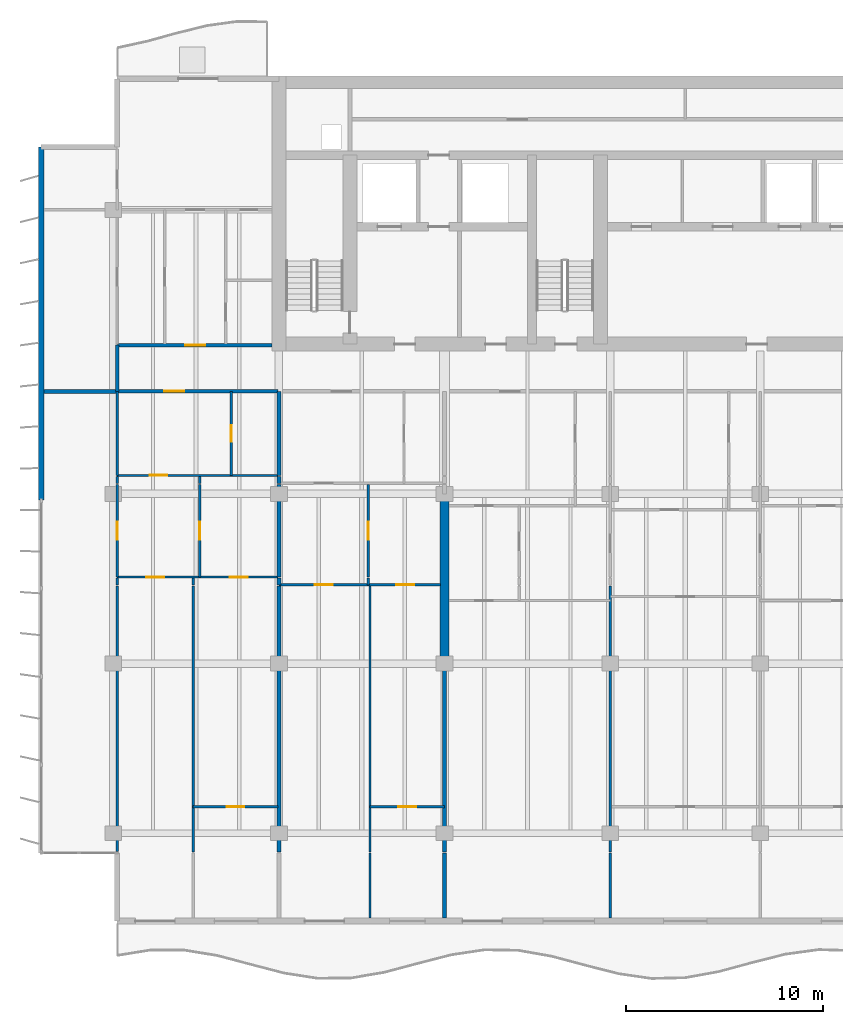
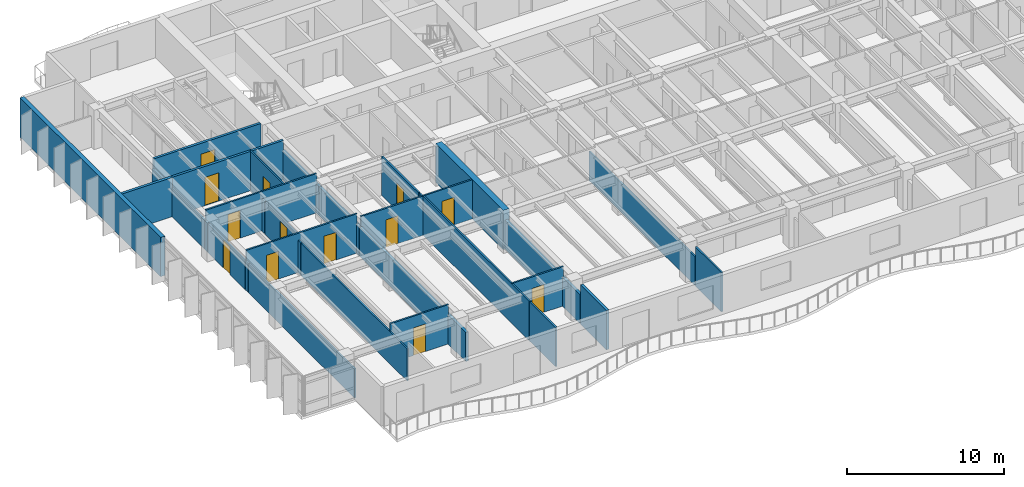
# One storey, part 8 of 18: 34 walls, 13 doors, 13 openings.
"""IFC4 building model written with IfcOpenShell, lengths in metres."""

from ifc_helpers import new_model, si_unit, direction, frame, frame_2d, origin, place, context, subcontext, project, spatial, rectangle, extrude, material, layer, layer_set, type_object, element, fill, save


model = new_model("IFC4")

# Units and contexts
model_context = context("Model", 3, precision=1e-05, world=origin(), true_north=direction((0.0, 1.0)))
body_context = subcontext(model_context, "Body", "Model", "MODEL_VIEW")
ifc_project = project(units=[si_unit("LENGTHUNIT", "METRE"), si_unit("AREAUNIT", "SQUARE_METRE"), si_unit("VOLUMEUNIT", "CUBIC_METRE"), si_unit("PLANEANGLEUNIT", "RADIAN"), si_unit("MASSUNIT", "GRAM", prefix="KILO")], contexts=[model_context])

# Site, building, storey
site_placement = place(None, origin())
site = spatial("IfcSite", under=ifc_project, at=site_placement, CompositionType="ELEMENT")
building_placement = place(site_placement, origin())
building = spatial("IfcBuilding", under=site, at=building_placement, Name="Caelmar Bay Residences", CompositionType="ELEMENT")
storey_placement = place(building_placement, frame((0.0, 0.0, 177.0)))
storey = spatial("IfcBuildingStorey", under=building, at=storey_placement, Name="L49", CompositionType="ELEMENT", Elevation=177.0)

# Walls
ifc_material_1 = material(Name="Concrete f'c 55 MPa (8,000 psi)", Category="concrete")
ifc_layer_1 = layer(ifc_material_1, 0.449951171875)
ifc_layer_set_1 = layer_set([ifc_layer_1], Name="Concrete f'c 55 MPa (8,000 psi)")
wall_type_1 = type_object("IfcWallType", Name="SW-XSLB-450", PredefinedType="SHEAR", material=ifc_layer_set_1)
wall_1_placement = place(storey_placement, frame((26.699951171875, 20.800048828125, 0.0), z_axis=(0.0, 0.0, 1.0), x_axis=(0.0, 1.0, 0.0)))
element("IfcWall", 1, at=wall_1_placement, inside=storey, type_object=wall_type_1, Name="L49 Transverse Cross-Slab Shear Wall W5", PredefinedType="SHEAR", context=body_context, shape_type="SweptSolid", body=[
    extrude(rectangle(XDim=8.599853515625, YDim=0.449951171875, at=frame_2d((4.2998046875, 0.0))), origin(), (0.0, 0.0, 1.0), 3.050048828125),
])
ifc_material_2 = material(Name="Double-stud acoustic fire-rated gypsum partition 180 mm")
ifc_layer_2 = layer(ifc_material_2, 0.179931640625)
ifc_layer_set_2 = layer_set([ifc_layer_2], Name="Double-stud acoustic fire-rated gypsum partition 180 mm")
wall_type_2 = type_object("IfcWallType", Name="W-COR-200", PredefinedType="PARTITIONING", material=ifc_layer_set_2)
wall_2_placement = place(storey_placement, frame((10.10009765625, 34.60498046875, 0.0), z_axis=(0.0, 0.0, 1.0), x_axis=(0.0, 1.0, 0.0)))
element("IfcWall", 2, at=wall_2_placement, inside=storey, type_object=wall_type_2, Name="L49 Partition Wall V006", PredefinedType="PARTITIONING", context=body_context, shape_type="SweptSolid", body=[
    extrude(rectangle(XDim=2.344970703125, YDim=0.179931640625, at=frame_2d((1.17236328125, 0.0))), origin(), (0.0, 0.0, 1.0), 2.262939453125),
])

# Wall, opening, door
wall_3_placement = place(storey_placement, frame((10.10498046875, 34.60009765625, 0.0), z_axis=(0.0, 0.0, 1.0), x_axis=(1.0, 0.0, 0.0)))
wall_3 = element("IfcWall", 3, at=wall_3_placement, inside=storey, type_object=wall_type_2, Name="L49 Partition Wall H127", PredefinedType="PARTITIONING", context=body_context, shape_type="SweptSolid", body=[
    extrude(rectangle(XDim=8.14501953125, YDim=0.179931640625, at=frame_2d((4.072509765625, 0.0))), origin(), (0.0, 0.0, 1.0), 3.050048828125),
])
opening_1_placement = place(wall_3_placement, frame((2.388427734375, 0.0, 0.0)))
opening_1 = element("IfcOpeningElement", 4, at=opening_1_placement, cuts=wall_3, Name="Opening D-L49-120", PredefinedType="OPENING", context=body_context, shape_type="SweptSolid", body=[
    extrude(rectangle(XDim=1.0, YDim=2.199951171875, at=frame_2d((0.5, 1.10009765625))), frame((0.0, 0.099853515625, 0.0), z_axis=(0.0, -1.0, 0.0), x_axis=(1.0, 0.0, 0.0)), (0.0, 0.0, 1.0), 0.199951171875),
])
ifc_material_3 = material(Name="Fire-rated steel and walnut architectural door assembly", Category="steel")
ifc_layer_3 = layer(ifc_material_3, 0.050048828125)
ifc_layer_set_3 = layer_set([ifc_layer_3], Name="Fire-rated steel and walnut architectural door assembly")
door_type_1 = type_object("IfcDoorType", Name="D-UNIT-1000", OperationType="NOTDEFINED", PredefinedType="DOOR", material=ifc_layer_set_3)
door_1_placement = place(opening_1_placement, origin())
door_1 = element("IfcDoor", 5, at=door_1_placement, inside=storey, type_object=door_type_1, Name="L49 Residence 01 Apartment Hall Door", OperationType="SINGLE_SWING_LEFT", OverallHeight=2.199951171875, OverallWidth=1.0, PredefinedType="DOOR", context=body_context, shape_type="SweptSolid", body=[
    extrude(rectangle(XDim=1.0, YDim=2.199951171875, at=frame_2d((0.5, 1.10009765625))), frame((0.0, 0.02490234375, 0.0), z_axis=(0.0, -1.0, 0.0), x_axis=(1.0, 0.0, 0.0)), (0.0, 0.0, 1.0), 0.050048828125),
])
fill(opening_1, door_1)

wall_4_placement = place(storey_placement, frame((10.10009765625, 36.949951171875, 0.0), z_axis=(0.0, 0.0, 1.0), x_axis=(1.0, 0.0, 0.0)))
wall_4 = element("IfcWall", 6, at=wall_4_placement, inside=storey, type_object=wall_type_2, Name="L49 Partition Wall H132", PredefinedType="PARTITIONING", context=body_context, shape_type="SweptSolid", body=[
    extrude(rectangle(XDim=7.844970703125, YDim=0.179931640625, at=frame_2d((3.92236328125, 0.0))), origin(), (0.0, 0.0, 1.0), 3.050048828125),
])
opening_2_placement = place(wall_4_placement, frame((3.4599609375, 0.0, 0.0)))
opening_2 = element("IfcOpeningElement", 7, at=opening_2_placement, cuts=wall_4, Name="Opening D-L49-166", PredefinedType="OPENING", context=body_context, shape_type="SweptSolid", body=[
    extrude(rectangle(XDim=1.0, YDim=2.199951171875, at=frame_2d((0.5, 1.10009765625))), frame((0.0, 0.099853515625, 0.0), z_axis=(0.0, -1.0, 0.0), x_axis=(1.0, 0.0, 0.0)), (0.0, 0.0, 1.0), 0.199951171875),
])
door_2_placement = place(opening_2_placement, origin())
door_2 = element("IfcDoor", 8, at=door_2_placement, inside=storey, type_object=door_type_1, Name="L49 Residence WA Kitchen Door", OperationType="SINGLE_SWING_LEFT", OverallHeight=2.199951171875, OverallWidth=1.0, PredefinedType="DOOR", context=body_context, shape_type="SweptSolid", body=[
    extrude(rectangle(XDim=1.0, YDim=2.199951171875, at=frame_2d((0.5, 1.10009765625))), frame((0.0, 0.02490234375, 0.0), z_axis=(0.0, -1.0, 0.0), x_axis=(1.0, 0.0, 0.0)), (0.0, 0.0, 1.0), 0.050048828125),
])
fill(opening_2, door_2)

# Walls
ifc_material_4 = material(Name="Precast concrete f'c 40 MPa (6,000 psi)", Category="concrete")
ifc_layer_4 = layer(ifc_material_4, 0.300048828125)
ifc_layer_set_4 = layer_set([ifc_layer_4], Name="Precast concrete f'c 40 MPa (6,000 psi)")
wall_type_3 = type_object("IfcWallType", Name="W-EXT-300", PredefinedType="STANDARD", material=ifc_layer_set_4)
wall_5_placement = place(storey_placement, frame((6.25, 29.10009765625, 0.0), z_axis=(0.0, 0.0, 1.0), x_axis=(0.0, 1.0, 0.0)))
element("IfcWall", 9, at=wall_5_placement, inside=storey, type_object=wall_type_3, Name="L49 West Rear Exterior Wall", PredefinedType="STANDARD", context=body_context, shape_type="SweptSolid", body=[
    extrude(rectangle(XDim=17.89990234375, YDim=0.300048828125, at=frame_2d((8.949951171875, 0.0))), origin(), (0.0, 0.0, 1.0), 3.050048828125),
])
ifc_material_5 = material(Name="Acoustic metal-stud gypsum partition 120 mm")
ifc_layer_5 = layer(ifc_material_5, 0.1201171875)
ifc_layer_set_5 = layer_set([ifc_layer_5], Name="Acoustic metal-stud gypsum partition 120 mm")
wall_type_4 = type_object("IfcWallType", Name="W-PRT-120", PredefinedType="PARTITIONING", material=ifc_layer_set_5)
wall_6_placement = place(storey_placement, frame((10.10009765625, 11.284912109375, 0.0), z_axis=(0.0, 0.0, 1.0), x_axis=(0.0, 1.0, 0.0)))
element("IfcWall", 10, at=wall_6_placement, inside=storey, type_object=wall_type_4, Name="L49 Partition Wall V001", PredefinedType="PARTITIONING", context=body_context, shape_type="SweptSolid", body=[
    extrude(rectangle(XDim=13.445068359375, YDim=0.1201171875, at=frame_2d((6.72265625, 0.0))), origin(), (0.0, 0.0, 1.0), 2.262939453125),
])
wall_7_placement = place(storey_placement, frame((10.10009765625, 24.7900390625, 0.0), z_axis=(0.0, 0.0, 1.0), x_axis=(0.0, 1.0, 0.0)))
element("IfcWall", 11, at=wall_7_placement, inside=storey, type_object=wall_type_4, Name="L49 Partition Wall V002", PredefinedType="PARTITIONING", context=body_context, shape_type="SweptSolid", body=[
    extrude(rectangle(XDim=0.33984375, YDim=0.1201171875, at=frame_2d((0.169921875, 0.0))), origin(), (0.0, 0.0, 1.0), 2.262939453125),
])

# Wall, opening, door
wall_8_placement = place(storey_placement, frame((10.10009765625, 25.18994140625, 0.0), z_axis=(0.0, 0.0, 1.0), x_axis=(0.0, 1.0, 0.0)))
wall_8 = element("IfcWall", 12, at=wall_8_placement, inside=storey, type_object=wall_type_4, Name="L49 Partition Wall V003", PredefinedType="PARTITIONING", context=body_context, shape_type="SweptSolid", body=[
    extrude(rectangle(XDim=4.68994140625, YDim=0.1201171875, at=frame_2d((2.344970703125, 0.0))), origin(), (0.0, 0.0, 1.0), 2.262939453125),
])
opening_3_placement = place(wall_8_placement, frame((1.89501953125, 0.0, 0.0)))
opening_3 = element("IfcOpeningElement", 13, at=opening_3_placement, cuts=wall_8, Name="Opening D-L49-163", PredefinedType="OPENING", context=body_context, shape_type="SweptSolid", body=[
    extrude(rectangle(XDim=0.89990234375, YDim=2.14990234375, at=frame_2d((0.449951171875, 1.074951171875))), frame((0.0, 0.070068359375, 0.0), z_axis=(0.0, -1.0, 0.0), x_axis=(1.0, 0.0, 0.0)), (0.0, 0.0, 1.0), 0.14013671875),
])
ifc_material_6 = material(Name="Solid walnut timber interior door leaf and frame", Category="wood")
ifc_layer_6 = layer(ifc_material_6, 0.050048828125)
ifc_layer_set_6 = layer_set([ifc_layer_6], Name="Solid walnut timber interior door leaf and frame")
door_type_2 = type_object("IfcDoorType", Name="D-ROOM-900", OperationType="NOTDEFINED", PredefinedType="DOOR", material=ifc_layer_set_6)
door_3_placement = place(opening_3_placement, origin())
door_3 = element("IfcDoor", 14, at=door_3_placement, inside=storey, type_object=door_type_2, Name="L49 Residence 01 Penthouse West Salon Door", OperationType="SINGLE_SWING_RIGHT", OverallHeight=2.14990234375, OverallWidth=0.89990234375, PredefinedType="DOOR", context=body_context, shape_type="SweptSolid", body=[
    extrude(rectangle(XDim=0.89990234375, YDim=2.14990234375, at=frame_2d((0.449951171875, 1.074951171875))), frame((0.0, 0.02490234375, 0.0), z_axis=(0.0, -1.0, 0.0), x_axis=(1.0, 0.0, 0.0)), (0.0, 0.0, 1.0), 0.050048828125),
])
fill(opening_3, door_3)

# Walls
wall_9_placement = place(storey_placement, frame((10.10009765625, 29.93994140625, 0.0), z_axis=(0.0, 0.0, 1.0), x_axis=(0.0, 1.0, 0.0)))
element("IfcWall", 15, at=wall_9_placement, inside=storey, type_object=wall_type_4, Name="L49 Partition Wall V004", PredefinedType="PARTITIONING", context=body_context, shape_type="SweptSolid", body=[
    extrude(rectangle(XDim=0.340087890625, YDim=0.1201171875, at=frame_2d((0.169921875, 0.0))), origin(), (0.0, 0.0, 1.0), 2.262939453125),
])
wall_10_placement = place(storey_placement, frame((10.10009765625, 30.340087890625, 0.0), z_axis=(0.0, 0.0, 1.0), x_axis=(0.0, 1.0, 0.0)))
element("IfcWall", 16, at=wall_10_placement, inside=storey, type_object=wall_type_4, Name="L49 Partition Wall V005", PredefinedType="PARTITIONING", context=body_context, shape_type="SweptSolid", body=[
    extrude(rectangle(XDim=4.260009765625, YDim=0.1201171875, at=frame_2d((2.1298828125, 0.0))), origin(), (0.0, 0.0, 1.0), 2.262939453125),
])
wall_11_placement = place(storey_placement, frame((13.9541015625, 11.239990234375, 0.0), z_axis=(0.0, 0.0, 1.0), x_axis=(0.0, 1.0, 0.0)))
element("IfcWall", 17, at=wall_11_placement, inside=storey, type_object=wall_type_4, Name="L49 Partition Wall V011", PredefinedType="PARTITIONING", context=body_context, shape_type="SweptSolid", body=[
    extrude(rectangle(XDim=13.489990234375, YDim=0.1201171875, at=frame_2d((6.7451171875, 0.0))), origin(), (0.0, 0.0, 1.0), 2.4990234375),
])
wall_12_placement = place(storey_placement, frame((13.9541015625, 24.7900390625, 0.0), z_axis=(0.0, 0.0, 1.0), x_axis=(0.0, 1.0, 0.0)))
element("IfcWall", 18, at=wall_12_placement, inside=storey, type_object=wall_type_4, Name="L49 Partition Wall V012", PredefinedType="PARTITIONING", context=body_context, shape_type="SweptSolid", body=[
    extrude(rectangle(XDim=0.33984375, YDim=0.1201171875, at=frame_2d((0.169921875, 0.0))), origin(), (0.0, 0.0, 1.0), 2.4990234375),
])

# Wall, opening, door
wall_13_placement = place(storey_placement, frame((14.278076171875, 25.18994140625, 0.0), z_axis=(0.0, 0.0, 1.0), x_axis=(0.0, 1.0, 0.0)))
wall_13 = element("IfcWall", 19, at=wall_13_placement, inside=storey, type_object=wall_type_4, Name="L49 Partition Wall V013", PredefinedType="PARTITIONING", context=body_context, shape_type="SweptSolid", body=[
    extrude(rectangle(XDim=4.68994140625, YDim=0.1201171875, at=frame_2d((2.344970703125, 0.0))), origin(), (0.0, 0.0, 1.0), 2.4990234375),
])
opening_4_placement = place(wall_13_placement, frame((1.89501953125, 0.0, 0.0)))
opening_4 = element("IfcOpeningElement", 20, at=opening_4_placement, cuts=wall_13, Name="Opening D-L49-123", PredefinedType="OPENING", context=body_context, shape_type="SweptSolid", body=[
    extrude(rectangle(XDim=0.89990234375, YDim=2.14990234375, at=frame_2d((0.449951171875, 1.074951171875))), frame((0.0, 0.070068359375, 0.0), z_axis=(0.0, -1.0, 0.0), x_axis=(1.0, 0.0, 0.0)), (0.0, 0.0, 1.0), 0.14013671875),
])
door_4_placement = place(opening_4_placement, origin())
door_4 = element("IfcDoor", 21, at=door_4_placement, inside=storey, type_object=door_type_2, Name="L49 Residence 01 Formal Dining Room Door", OperationType="SINGLE_SWING_RIGHT", OverallHeight=2.14990234375, OverallWidth=0.89990234375, PredefinedType="DOOR", context=body_context, shape_type="SweptSolid", body=[
    extrude(rectangle(XDim=0.89990234375, YDim=2.14990234375, at=frame_2d((0.449951171875, 1.074951171875))), frame((0.0, 0.02490234375, 0.0), z_axis=(0.0, -1.0, 0.0), x_axis=(1.0, 0.0, 0.0)), (0.0, 0.0, 1.0), 0.050048828125),
])
fill(opening_4, door_4)

# Wall
wall_14_placement = place(storey_placement, frame((14.278076171875, 29.93994140625, 0.0), z_axis=(0.0, 0.0, 1.0), x_axis=(0.0, 1.0, 0.0)))
element("IfcWall", 22, at=wall_14_placement, inside=storey, type_object=wall_type_4, Name="L49 Partition Wall V014", PredefinedType="PARTITIONING", context=body_context, shape_type="SweptSolid", body=[
    extrude(rectangle(XDim=0.340087890625, YDim=0.1201171875, at=frame_2d((0.169921875, 0.0))), origin(), (0.0, 0.0, 1.0), 2.4990234375),
])

# Wall, opening, door
wall_15_placement = place(storey_placement, frame((15.882080078125, 30.340087890625, 0.0), z_axis=(0.0, 0.0, 1.0), x_axis=(0.0, 1.0, 0.0)))
wall_15 = element("IfcWall", 23, at=wall_15_placement, inside=storey, type_object=wall_type_4, Name="L49 Partition Wall V016", PredefinedType="PARTITIONING", context=body_context, shape_type="SweptSolid", body=[
    extrude(rectangle(XDim=4.260009765625, YDim=0.1201171875, at=frame_2d((2.1298828125, 0.0))), origin(), (0.0, 0.0, 1.0), 3.050048828125),
])
opening_5_placement = place(wall_15_placement, frame((1.705078125, 0.0, 0.0)))
opening_5 = element("IfcOpeningElement", 24, at=opening_5_placement, cuts=wall_15, Name="Opening D-L49-121", PredefinedType="OPENING", context=body_context, shape_type="SweptSolid", body=[
    extrude(rectangle(XDim=0.85009765625, YDim=2.10009765625, at=frame_2d((0.425048828125, 1.050048828125))), frame((0.0, 0.070068359375, 0.0), z_axis=(0.0, -1.0, 0.0), x_axis=(1.0, 0.0, 0.0)), (0.0, 0.0, 1.0), 0.14013671875),
])
ifc_layer_7 = layer(ifc_material_6, 0.050048828125)
ifc_layer_set_7 = layer_set([ifc_layer_7], Name="Solid walnut timber interior door leaf and frame")
door_type_3 = type_object("IfcDoorType", Name="D-BATH-850", OperationType="NOTDEFINED", PredefinedType="DOOR", material=ifc_layer_set_7)
door_5_placement = place(opening_5_placement, origin())
door_5 = element("IfcDoor", 25, at=door_5_placement, inside=storey, type_object=door_type_3, Name="L49 Residence 01 Bathroom Door", OperationType="SINGLE_SWING_RIGHT", OverallHeight=2.10009765625, OverallWidth=0.85009765625, PredefinedType="DOOR", context=body_context, shape_type="SweptSolid", body=[
    extrude(rectangle(XDim=0.85009765625, YDim=2.10009765625, at=frame_2d((0.425048828125, 1.050048828125))), frame((0.0, 0.02490234375, 0.0), z_axis=(0.0, -1.0, 0.0), x_axis=(1.0, 0.0, 0.0)), (0.0, 0.0, 1.0), 0.050048828125),
])
fill(opening_5, door_5)

# Wall
wall_16_placement = place(storey_placement, frame((22.8359375, 24.7900390625, 0.0), z_axis=(0.0, 0.0, 1.0), x_axis=(0.0, 1.0, 0.0)))
element("IfcWall", 26, at=wall_16_placement, inside=storey, type_object=wall_type_4, Name="L49 Partition Wall V024", PredefinedType="PARTITIONING", context=body_context, shape_type="SweptSolid", body=[
    extrude(rectangle(XDim=0.33984375, YDim=0.1201171875, at=frame_2d((0.169921875, 0.0))), origin(), (0.0, 0.0, 1.0), 3.050048828125),
])

# Wall, opening, door
wall_17_placement = place(storey_placement, frame((22.8359375, 25.18994140625, 0.0), z_axis=(0.0, 0.0, 1.0), x_axis=(0.0, 1.0, 0.0)))
wall_17 = element("IfcWall", 27, at=wall_17_placement, inside=storey, type_object=wall_type_4, Name="L49 Partition Wall V025", PredefinedType="PARTITIONING", context=body_context, shape_type="SweptSolid", body=[
    extrude(rectangle(XDim=4.68994140625, YDim=0.1201171875, at=frame_2d((2.344970703125, 0.0))), origin(), (0.0, 0.0, 1.0), 3.050048828125),
])
opening_6_placement = place(wall_17_placement, frame((1.89501953125, 0.0, 0.0)))
opening_6 = element("IfcOpeningElement", 28, at=opening_6_placement, cuts=wall_17, Name="Opening D-L49-130", PredefinedType="OPENING", context=body_context, shape_type="SweptSolid", body=[
    extrude(rectangle(XDim=0.89990234375, YDim=2.14990234375, at=frame_2d((0.449951171875, 1.074951171875))), frame((0.0, 0.070068359375, 0.0), z_axis=(0.0, -1.0, 0.0), x_axis=(1.0, 0.0, 0.0)), (0.0, 0.0, 1.0), 0.14013671875),
])
door_6_placement = place(opening_6_placement, origin())
door_6 = element("IfcDoor", 29, at=door_6_placement, inside=storey, type_object=door_type_2, Name="L49 Residence 02 Formal Dining Room Door", OperationType="SINGLE_SWING_LEFT", OverallHeight=2.14990234375, OverallWidth=0.89990234375, PredefinedType="DOOR", context=body_context, shape_type="SweptSolid", body=[
    extrude(rectangle(XDim=0.89990234375, YDim=2.14990234375, at=frame_2d((0.449951171875, 1.074951171875))), frame((0.0, 0.02490234375, 0.0), z_axis=(0.0, -1.0, 0.0), x_axis=(1.0, 0.0, 0.0)), (0.0, 0.0, 1.0), 0.050048828125),
])
fill(opening_6, door_6)

# Walls
wall_18_placement = place(storey_placement, frame((22.919921875, 7.89501953125, 0.0), z_axis=(0.0, 0.0, 1.0), x_axis=(0.0, 1.0, 0.0)))
element("IfcWall", 30, at=wall_18_placement, inside=storey, type_object=wall_type_4, Name="L49 Partition Wall V026", PredefinedType="PARTITIONING", context=body_context, shape_type="SweptSolid", body=[
    extrude(rectangle(XDim=3.304931640625, YDim=0.1201171875, at=frame_2d((1.65234375, 0.0))), origin(), (0.0, 0.0, 1.0), 3.050048828125),
])
wall_19_placement = place(storey_placement, frame((22.919921875, 11.239990234375, 0.0), z_axis=(0.0, 0.0, 1.0), x_axis=(0.0, 1.0, 0.0)))
element("IfcWall", 31, at=wall_19_placement, inside=storey, type_object=wall_type_4, Name="L49 Partition Wall V027", PredefinedType="PARTITIONING", context=body_context, shape_type="SweptSolid", body=[
    extrude(rectangle(XDim=13.489990234375, YDim=0.1201171875, at=frame_2d((6.7451171875, 0.0))), origin(), (0.0, 0.0, 1.0), 3.050048828125),
])
wall_20_placement = place(storey_placement, frame((35.10009765625, 7.89501953125, 0.0), z_axis=(0.0, 0.0, 1.0), x_axis=(0.0, 1.0, 0.0)))
element("IfcWall", 32, at=wall_20_placement, inside=storey, type_object=wall_type_4, Name="L49 Partition Wall V044", PredefinedType="PARTITIONING", context=body_context, shape_type="SweptSolid", body=[
    extrude(rectangle(XDim=3.304931640625, YDim=0.1201171875, at=frame_2d((1.65234375, 0.0))), origin(), (0.0, 0.0, 1.0), 3.050048828125),
])
wall_21_placement = place(storey_placement, frame((35.10009765625, 11.239990234375, 0.0), z_axis=(0.0, 0.0, 1.0), x_axis=(0.0, 1.0, 0.0)))
element("IfcWall", 33, at=wall_21_placement, inside=storey, type_object=wall_type_4, Name="L49 Partition Wall V045", PredefinedType="PARTITIONING", context=body_context, shape_type="SweptSolid", body=[
    extrude(rectangle(XDim=13.489990234375, YDim=0.1201171875, at=frame_2d((6.7451171875, 0.0))), origin(), (0.0, 0.0, 1.0), 2.262939453125),
])

# Wall, opening, door
wall_22_placement = place(storey_placement, frame((13.9541015625, 13.550048828125, 0.0), z_axis=(0.0, 0.0, 1.0), x_axis=(1.0, 0.0, 0.0)))
wall_22 = element("IfcWall", 34, at=wall_22_placement, inside=storey, type_object=wall_type_4, Name="L49 Partition Wall H104", PredefinedType="PARTITIONING", context=body_context, shape_type="SweptSolid", body=[
    extrude(rectangle(XDim=4.2958984375, YDim=0.1201171875, at=frame_2d((2.14794921875, 0.0))), origin(), (0.0, 0.0, 1.0), 3.050048828125),
])
opening_7_placement = place(wall_22_placement, frame((1.697998046875, 0.0, 0.0)))
opening_7 = element("IfcOpeningElement", 35, at=opening_7_placement, cuts=wall_22, Name="Opening D-L49-126", PredefinedType="OPENING", context=body_context, shape_type="SweptSolid", body=[
    extrude(rectangle(XDim=0.89990234375, YDim=2.14990234375, at=frame_2d((0.449951171875, 1.074951171875))), frame((0.0, 0.070068359375, 0.0), z_axis=(0.0, -1.0, 0.0), x_axis=(1.0, 0.0, 0.0)), (0.0, 0.0, 1.0), 0.14013671875),
])
door_7_placement = place(opening_7_placement, origin())
door_7 = element("IfcDoor", 36, at=door_7_placement, inside=storey, type_object=door_type_2, Name="L49 Residence 01 Primary Bedroom Door", OperationType="SINGLE_SWING_LEFT", OverallHeight=2.14990234375, OverallWidth=0.89990234375, PredefinedType="DOOR", context=body_context, shape_type="SweptSolid", body=[
    extrude(rectangle(XDim=0.89990234375, YDim=2.14990234375, at=frame_2d((0.449951171875, 1.074951171875))), frame((0.0, 0.02490234375, 0.0), z_axis=(0.0, -1.0, 0.0), x_axis=(1.0, 0.0, 0.0)), (0.0, 0.0, 1.0), 0.050048828125),
])
fill(opening_7, door_7)

wall_23_placement = place(storey_placement, frame((22.919921875, 13.550048828125, 0.0), z_axis=(0.0, 0.0, 1.0), x_axis=(1.0, 0.0, 0.0)))
wall_23 = element("IfcWall", 37, at=wall_23_placement, inside=storey, type_object=wall_type_4, Name="L49 Partition Wall H105", PredefinedType="PARTITIONING", context=body_context, shape_type="SweptSolid", body=[
    extrude(rectangle(XDim=3.780029296875, YDim=0.1201171875, at=frame_2d((1.89013671875, 0.0))), origin(), (0.0, 0.0, 1.0), 3.050048828125),
])
opening_8_placement = place(wall_23_placement, frame((1.43994140625, 0.0, 0.0)))
opening_8 = element("IfcOpeningElement", 38, at=opening_8_placement, cuts=wall_23, Name="Opening D-L49-133", PredefinedType="OPENING", context=body_context, shape_type="SweptSolid", body=[
    extrude(rectangle(XDim=0.89990234375, YDim=2.14990234375, at=frame_2d((0.449951171875, 1.074951171875))), frame((0.0, 0.070068359375, 0.0), z_axis=(0.0, -1.0, 0.0), x_axis=(1.0, 0.0, 0.0)), (0.0, 0.0, 1.0), 0.14013671875),
])
door_8_placement = place(opening_8_placement, origin())
door_8 = element("IfcDoor", 39, at=door_8_placement, inside=storey, type_object=door_type_2, Name="L49 Residence 02 Primary Bedroom Door", OperationType="SINGLE_SWING_RIGHT", OverallHeight=2.14990234375, OverallWidth=0.89990234375, PredefinedType="DOOR", context=body_context, shape_type="SweptSolid", body=[
    extrude(rectangle(XDim=0.89990234375, YDim=2.14990234375, at=frame_2d((0.449951171875, 1.074951171875))), frame((0.0, 0.02490234375, 0.0), z_axis=(0.0, -1.0, 0.0), x_axis=(1.0, 0.0, 0.0)), (0.0, 0.0, 1.0), 0.050048828125),
])
fill(opening_8, door_8)

# Wall, openings, doors
wall_24_placement = place(storey_placement, frame((18.300048828125, 24.7900390625, 0.0), z_axis=(0.0, 0.0, 1.0), x_axis=(1.0, 0.0, 0.0)))
wall_24 = element("IfcWall", 40, at=wall_24_placement, inside=storey, type_object=wall_type_4, Name="L49 Partition Wall H114", PredefinedType="PARTITIONING", context=body_context, shape_type="SweptSolid", body=[
    extrude(rectangle(XDim=8.179931640625, YDim=0.1201171875, at=frame_2d((4.08984375, 0.0))), origin(), (0.0, 0.0, 1.0), 3.050048828125),
])
opening_9_placement = place(wall_24_placement, frame((1.818115234375, 0.0, 0.0)))
opening_9 = element("IfcOpeningElement", 41, at=opening_9_placement, cuts=wall_24, Name="Opening D-L49-131", PredefinedType="OPENING", context=body_context, shape_type="SweptSolid", body=[
    extrude(rectangle(XDim=0.89990234375, YDim=2.14990234375, at=frame_2d((0.449951171875, 1.074951171875))), frame((0.0, 0.070068359375, 0.0), z_axis=(0.0, -1.0, 0.0), x_axis=(1.0, 0.0, 0.0)), (0.0, 0.0, 1.0), 0.14013671875),
])
opening_10_placement = place(wall_24_placement, frame((5.949951171875, 0.0, 0.0)))
opening_10 = element("IfcOpeningElement", 42, at=opening_10_placement, cuts=wall_24, Name="Opening D-L49-132", PredefinedType="OPENING", context=body_context, shape_type="SweptSolid", body=[
    extrude(rectangle(XDim=0.89990234375, YDim=2.14990234375, at=frame_2d((0.449951171875, 1.074951171875))), frame((0.0, 0.070068359375, 0.0), z_axis=(0.0, -1.0, 0.0), x_axis=(1.0, 0.0, 0.0)), (0.0, 0.0, 1.0), 0.14013671875),
])
door_9_placement = place(opening_9_placement, origin())
door_9 = element("IfcDoor", 43, at=door_9_placement, inside=storey, type_object=door_type_2, Name="L49 Residence 02 Penthouse Living Salon Door", OperationType="SINGLE_SWING_RIGHT", OverallHeight=2.14990234375, OverallWidth=0.89990234375, PredefinedType="DOOR", context=body_context, shape_type="SweptSolid", body=[
    extrude(rectangle(XDim=0.89990234375, YDim=2.14990234375, at=frame_2d((0.449951171875, 1.074951171875))), frame((0.0, 0.02490234375, 0.0), z_axis=(0.0, -1.0, 0.0), x_axis=(1.0, 0.0, 0.0)), (0.0, 0.0, 1.0), 0.050048828125),
])
fill(opening_9, door_9)
door_10_placement = place(opening_10_placement, origin())
door_10 = element("IfcDoor", 44, at=door_10_placement, inside=storey, type_object=door_type_2, Name="L49 Residence 02 Penthouse Sitting Room Door", OperationType="SINGLE_SWING_LEFT", OverallHeight=2.14990234375, OverallWidth=0.89990234375, PredefinedType="DOOR", context=body_context, shape_type="SweptSolid", body=[
    extrude(rectangle(XDim=0.89990234375, YDim=2.14990234375, at=frame_2d((0.449951171875, 1.074951171875))), frame((0.0, 0.02490234375, 0.0), z_axis=(0.0, -1.0, 0.0), x_axis=(1.0, 0.0, 0.0)), (0.0, 0.0, 1.0), 0.050048828125),
])
fill(opening_10, door_10)

wall_25_placement = place(storey_placement, frame((10.10009765625, 25.18994140625, 0.0), z_axis=(0.0, 0.0, 1.0), x_axis=(1.0, 0.0, 0.0)))
wall_25 = element("IfcWall", 45, at=wall_25_placement, inside=storey, type_object=wall_type_4, Name="L49 Partition Wall H117", PredefinedType="PARTITIONING", context=body_context, shape_type="SweptSolid", body=[
    extrude(rectangle(XDim=8.14990234375, YDim=0.1201171875, at=frame_2d((4.074951171875, 0.0))), origin(), (0.0, 0.0, 1.0), 3.050048828125),
])
opening_11_placement = place(wall_25_placement, frame((1.47705078125, 0.0, 0.0)))
opening_11 = element("IfcOpeningElement", 46, at=opening_11_placement, cuts=wall_25, Name="Opening D-L49-124", PredefinedType="OPENING", context=body_context, shape_type="SweptSolid", body=[
    extrude(rectangle(XDim=0.89990234375, YDim=2.14990234375, at=frame_2d((0.449951171875, 1.074951171875))), frame((0.0, 0.070068359375, 0.0), z_axis=(0.0, -1.0, 0.0), x_axis=(1.0, 0.0, 0.0)), (0.0, 0.0, 1.0), 0.14013671875),
])
opening_12_placement = place(wall_25_placement, frame((5.714111328125, 0.0, 0.0)))
opening_12 = element("IfcOpeningElement", 47, at=opening_12_placement, cuts=wall_25, Name="Opening D-L49-125", PredefinedType="OPENING", context=body_context, shape_type="SweptSolid", body=[
    extrude(rectangle(XDim=0.89990234375, YDim=2.14990234375, at=frame_2d((0.449951171875, 1.074951171875))), frame((0.0, 0.070068359375, 0.0), z_axis=(0.0, -1.0, 0.0), x_axis=(1.0, 0.0, 0.0)), (0.0, 0.0, 1.0), 0.14013671875),
])
door_11_placement = place(opening_11_placement, origin())
door_11 = element("IfcDoor", 48, at=door_11_placement, inside=storey, type_object=door_type_2, Name="L49 Residence 01 Living Room Door", OperationType="SINGLE_SWING_LEFT", OverallHeight=2.14990234375, OverallWidth=0.89990234375, PredefinedType="DOOR", context=body_context, shape_type="SweptSolid", body=[
    extrude(rectangle(XDim=0.89990234375, YDim=2.14990234375, at=frame_2d((0.449951171875, 1.074951171875))), frame((0.0, 0.02490234375, 0.0), z_axis=(0.0, -1.0, 0.0), x_axis=(1.0, 0.0, 0.0)), (0.0, 0.0, 1.0), 0.050048828125),
])
fill(opening_11, door_11)
door_12_placement = place(opening_12_placement, origin())
door_12 = element("IfcDoor", 49, at=door_12_placement, inside=storey, type_object=door_type_2, Name="L49 Residence 01 Penthouse Sitting Room Door", OperationType="SINGLE_SWING_RIGHT", OverallHeight=2.14990234375, OverallWidth=0.89990234375, PredefinedType="DOOR", context=body_context, shape_type="SweptSolid", body=[
    extrude(rectangle(XDim=0.89990234375, YDim=2.14990234375, at=frame_2d((0.449951171875, 1.074951171875))), frame((0.0, 0.02490234375, 0.0), z_axis=(0.0, -1.0, 0.0), x_axis=(1.0, 0.0, 0.0)), (0.0, 0.0, 1.0), 0.050048828125),
])
fill(opening_12, door_12)

# Wall, opening, door
wall_26_placement = place(storey_placement, frame((10.10009765625, 30.340087890625, 0.0), z_axis=(0.0, 0.0, 1.0), x_axis=(1.0, 0.0, 0.0)))
wall_26 = element("IfcWall", 50, at=wall_26_placement, inside=storey, type_object=wall_type_4, Name="L49 Partition Wall H125", PredefinedType="PARTITIONING", context=body_context, shape_type="SweptSolid", body=[
    extrude(rectangle(XDim=8.14990234375, YDim=0.1201171875, at=frame_2d((4.074951171875, 0.0))), origin(), (0.0, 0.0, 1.0), 3.050048828125),
])
opening_13_placement = place(wall_26_placement, frame((1.638916015625, 0.0, 0.0)))
opening_13 = element("IfcOpeningElement", 51, at=opening_13_placement, cuts=wall_26, Name="Opening D-L49-122", PredefinedType="OPENING", context=body_context, shape_type="SweptSolid", body=[
    extrude(rectangle(XDim=0.89990234375, YDim=2.14990234375, at=frame_2d((0.449951171875, 1.074951171875))), frame((0.0, 0.070068359375, 0.0), z_axis=(0.0, -1.0, 0.0), x_axis=(1.0, 0.0, 0.0)), (0.0, 0.0, 1.0), 0.14013671875),
])
door_13_placement = place(opening_13_placement, origin())
door_13 = element("IfcDoor", 52, at=door_13_placement, inside=storey, type_object=door_type_2, Name="L49 Residence 01 Kitchen Door", OperationType="SINGLE_SWING_LEFT", OverallHeight=2.14990234375, OverallWidth=0.89990234375, PredefinedType="DOOR", context=body_context, shape_type="SweptSolid", body=[
    extrude(rectangle(XDim=0.89990234375, YDim=2.14990234375, at=frame_2d((0.449951171875, 1.074951171875))), frame((0.0, 0.02490234375, 0.0), z_axis=(0.0, -1.0, 0.0), x_axis=(1.0, 0.0, 0.0)), (0.0, 0.0, 1.0), 0.050048828125),
])
fill(opening_13, door_13)

# Walls
ifc_material_7 = material(Name="Acoustic twin-stud fire-rated inter-tenancy partition 200 mm")
ifc_layer_8 = layer(ifc_material_7, 0.199951171875)
ifc_layer_set_8 = layer_set([ifc_layer_8], Name="Acoustic twin-stud fire-rated inter-tenancy partition 200 mm")
wall_type_5 = type_object("IfcWallType", Name="W-PTY-200", PredefinedType="PARTITIONING", material=ifc_layer_set_8)
wall_27_placement = place(storey_placement, frame((18.300048828125, 11.239990234375, 0.0), z_axis=(0.0, 0.0, 1.0), x_axis=(0.0, 1.0, 0.0)))
element("IfcWall", 53, at=wall_27_placement, inside=storey, type_object=wall_type_5, Name="L49 Partition Wall V018", PredefinedType="PARTITIONING", context=body_context, shape_type="SweptSolid", body=[
    extrude(rectangle(XDim=13.489990234375, YDim=0.199951171875, at=frame_2d((6.7451171875, 0.0))), origin(), (0.0, 0.0, 1.0), 2.262939453125),
])
wall_28_placement = place(storey_placement, frame((18.300048828125, 24.7900390625, 0.0), z_axis=(0.0, 0.0, 1.0), x_axis=(0.0, 1.0, 0.0)))
element("IfcWall", 54, at=wall_28_placement, inside=storey, type_object=wall_type_5, Name="L49 Partition Wall V019", PredefinedType="PARTITIONING", context=body_context, shape_type="SweptSolid", body=[
    extrude(rectangle(XDim=0.33984375, YDim=0.199951171875, at=frame_2d((0.169921875, 0.0))), origin(), (0.0, 0.0, 1.0), 2.262939453125),
])
wall_29_placement = place(storey_placement, frame((18.300048828125, 25.18994140625, 0.0), z_axis=(0.0, 0.0, 1.0), x_axis=(0.0, 1.0, 0.0)))
element("IfcWall", 55, at=wall_29_placement, inside=storey, type_object=wall_type_5, Name="L49 Partition Wall V020", PredefinedType="PARTITIONING", context=body_context, shape_type="SweptSolid", body=[
    extrude(rectangle(XDim=4.68994140625, YDim=0.199951171875, at=frame_2d((2.344970703125, 0.0))), origin(), (0.0, 0.0, 1.0), 2.262939453125),
])
wall_30_placement = place(storey_placement, frame((18.300048828125, 29.93994140625, 0.0), z_axis=(0.0, 0.0, 1.0), x_axis=(0.0, 1.0, 0.0)))
element("IfcWall", 56, at=wall_30_placement, inside=storey, type_object=wall_type_5, Name="L49 Partition Wall V021", PredefinedType="PARTITIONING", context=body_context, shape_type="SweptSolid", body=[
    extrude(rectangle(XDim=0.340087890625, YDim=0.199951171875, at=frame_2d((0.169921875, 0.0))), origin(), (0.0, 0.0, 1.0), 2.262939453125),
])
wall_31_placement = place(storey_placement, frame((18.300048828125, 30.340087890625, 0.0), z_axis=(0.0, 0.0, 1.0), x_axis=(0.0, 1.0, 0.0)))
element("IfcWall", 57, at=wall_31_placement, inside=storey, type_object=wall_type_5, Name="L49 Partition Wall V022", PredefinedType="PARTITIONING", context=body_context, shape_type="SweptSolid", body=[
    extrude(rectangle(XDim=4.260009765625, YDim=0.199951171875, at=frame_2d((2.1298828125, 0.0))), origin(), (0.0, 0.0, 1.0), 2.262939453125),
])
wall_32_placement = place(storey_placement, frame((26.699951171875, 7.89501953125, 0.0), z_axis=(0.0, 0.0, 1.0), x_axis=(0.0, 1.0, 0.0)))
element("IfcWall", 58, at=wall_32_placement, inside=storey, type_object=wall_type_5, Name="L49 Partition Wall V031", PredefinedType="PARTITIONING", context=body_context, shape_type="SweptSolid", body=[
    extrude(rectangle(XDim=3.304931640625, YDim=0.199951171875, at=frame_2d((1.65234375, 0.0))), origin(), (0.0, 0.0, 1.0), 3.050048828125),
])
wall_33_placement = place(storey_placement, frame((26.699951171875, 11.239990234375, 0.0), z_axis=(0.0, 0.0, 1.0), x_axis=(0.0, 1.0, 0.0)))
element("IfcWall", 59, at=wall_33_placement, inside=storey, type_object=wall_type_5, Name="L49 Partition Wall V032", PredefinedType="PARTITIONING", context=body_context, shape_type="SweptSolid", body=[
    extrude(rectangle(XDim=9.554931640625, YDim=0.199951171875, at=frame_2d((4.77734375, 0.0))), origin(), (0.0, 0.0, 1.0), 2.262939453125),
])
wall_34_placement = place(storey_placement, frame((6.39501953125, 34.60009765625, 0.0), z_axis=(0.0, 0.0, 1.0), x_axis=(1.0, 0.0, 0.0)))
element("IfcWall", 60, at=wall_34_placement, inside=storey, type_object=wall_type_5, Name="L49 Partition Wall H126", PredefinedType="PARTITIONING", context=body_context, shape_type="SweptSolid", body=[
    extrude(rectangle(XDim=3.705078125, YDim=0.199951171875, at=frame_2d((1.8525390625, 0.0))), origin(), (0.0, 0.0, 1.0), 3.050048828125),
])

save(model, "model.ifc")
